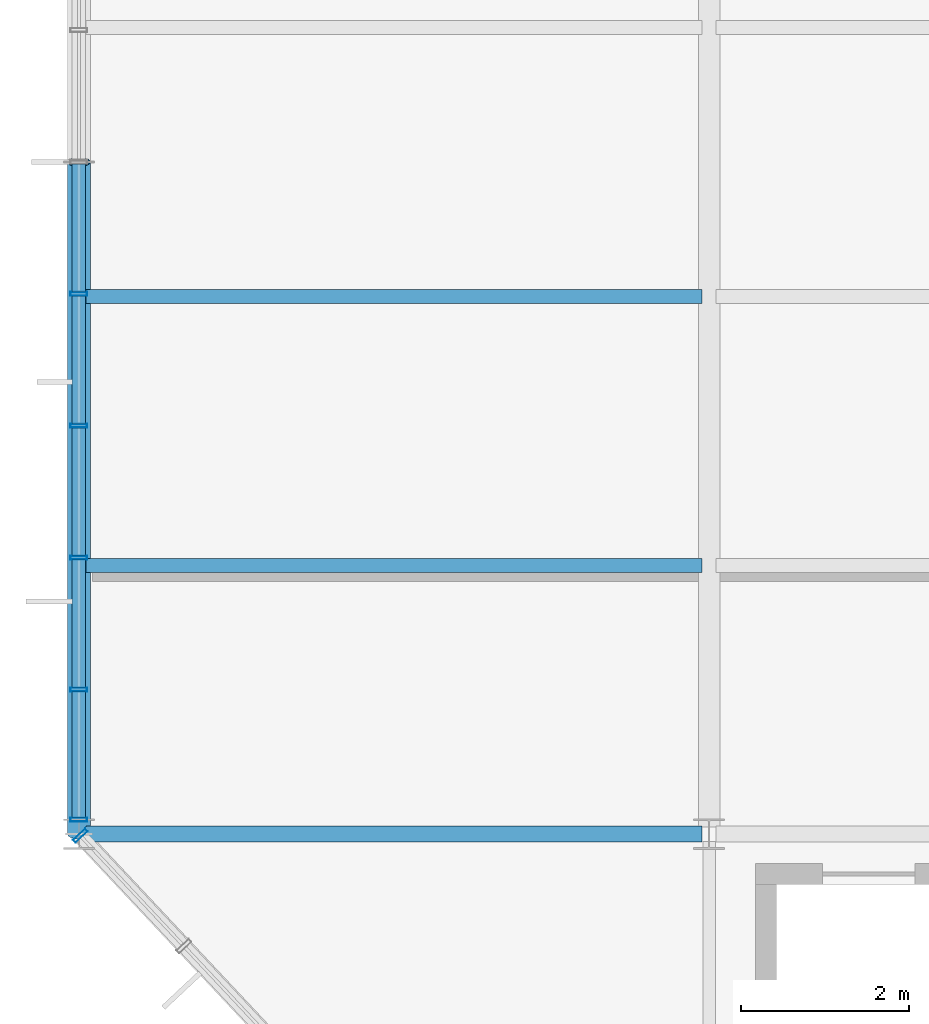
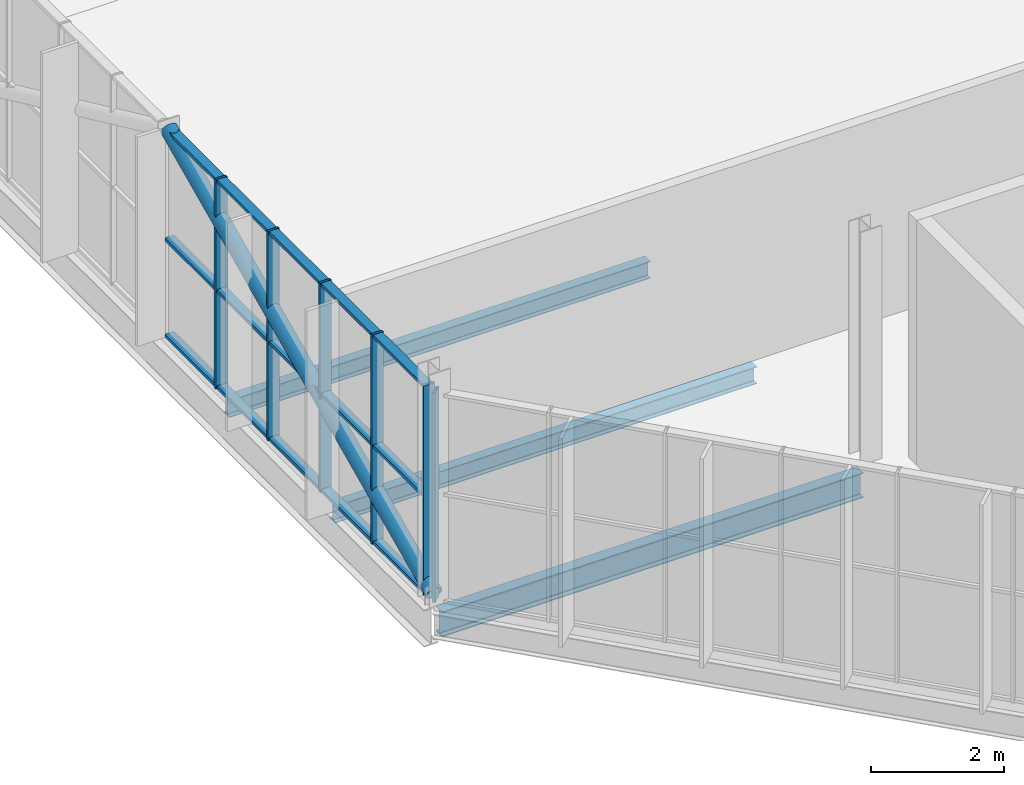
# One storey, part 18 of 324: 22 members, 3 beams, 2 elements without a shape of their own.
"""IFC4 building model written with IfcOpenShell, lengths in metres."""

from ifc_helpers import new_model, si_unit, direction, frame, origin, origin_2d, place, context, subcontext, project, spatial, hollow_rectangle, hollow_circle, i_section, extrude, material, layer, layer_set, material_profile, profile_set, type_object, element, aggregate, save


model = new_model("IFC4")

# Units and contexts
model_context = context("Model", 3, precision=1e-05, world=origin(), true_north=direction((0.0, 1.0)))
body_context = subcontext(model_context, "Body", "Model", "MODEL_VIEW")
ifc_project = project(units=[si_unit("LENGTHUNIT", "METRE"), si_unit("AREAUNIT", "SQUARE_METRE"), si_unit("VOLUMEUNIT", "CUBIC_METRE"), si_unit("PLANEANGLEUNIT", "RADIAN"), si_unit("MASSUNIT", "GRAM", prefix="KILO")], contexts=[model_context])

# Site, building, storey
site_placement = place(None, origin())
site = spatial("IfcSite", under=ifc_project, at=site_placement, CompositionType="ELEMENT")
building_placement = place(site_placement, origin())
building = spatial("IfcBuilding", under=site, at=building_placement, Name="Solvenia Promenade Tram Depot", CompositionType="ELEMENT")
storey_placement = place(building_placement, frame((0.0, 0.0, 4.5)))
storey = spatial("IfcBuildingStorey", under=building, at=storey_placement, Name="L01", CompositionType="ELEMENT", Elevation=4.5)

# Beam
ifc_material_1 = material(Name="Structural steel ASTM A992 Gr. 50", Category="steel")
ifc_material_profile_1 = material_profile(ifc_material_1, i_section(OverallWidth=0.19091796875, OverallDepth=0.4599609375, WebThickness=0.010009765625, FlangeThickness=0.01611328125, FilletRadius=0.012939453125, at=origin_2d()), Name="W460x82", Category="steel")
ifc_profile_set_1 = profile_set([ifc_material_profile_1], Name="Structural steel ASTM A992 Gr. 50")
beam_type_1 = type_object("IfcBeamType", Name="Beam-W460x82", PredefinedType="BEAM", material=ifc_profile_set_1)
beam_placement = place(storey_placement, frame((0.0849609375, 8.0, -0.449951171875), z_axis=(1.0, 0.0, 0.0), x_axis=(0.0, 1.0, 0.0)))
element("IfcBeam", 1, at=beam_placement, inside=storey, type_object=beam_type_1, Name="Primary Girder BM-L01-0312", PredefinedType="BEAM", context=body_context, shape_type="SweptSolid", body=[
    extrude(i_section(OverallWidth=0.19091796875, OverallDepth=0.4599609375, WebThickness=0.010009765625, FlangeThickness=0.01611328125, FilletRadius=0.012939453125, at=origin_2d()), origin(), (0.0, 0.0, 1.0), 7.330078125),
])

# Member
ifc_material_2 = material(Name="Structural steel ASTM A500 Gr. C", Category="steel")
ifc_material_profile_2 = material_profile(ifc_material_2, hollow_circle(Radius=0.136474609375, WallThickness=0.010009765625, at=origin_2d()), Name="CHS273.0x10", Category="steel")
ifc_profile_set_2 = profile_set([ifc_material_profile_2], Name="Structural steel ASTM A500 Gr. C")
member_type_1 = type_object("IfcMemberType", Name="Brace-CHS273x10", PredefinedType="BRACE", material=ifc_profile_set_2)
member_1_placement = place(storey_placement, frame((0.0, 8.0, 0.10009765625), z_axis=(0.0, 0.907629151412, 0.419772942799), x_axis=(-1.0, 0.0, 0.0)))
element("IfcMember", 2, at=member_1_placement, inside=storey, type_object=member_type_1, Name="PAC-DES Chevron Brace 13L", PredefinedType="BRACE", context=body_context, shape_type="SweptSolid", body=[
    extrude(hollow_circle(Radius=0.136474609375, WallThickness=0.010009765625, at=origin_2d()), origin(), (0.0, 0.0, 1.0), 8.814208984375),
])

# Curtain wall, member
ifc_material_3 = material(Name="Anodized aluminium AW-6063 T6", Category="aluminium")
ifc_layer_1 = layer(ifc_material_3, 0.179931640625, Name="Anodized aluminium AW-6063 T6", Category="aluminium")
ifc_layer_set_1 = layer_set([ifc_layer_1], Name="Anodized aluminium AW-6063 T6")
curtain_wall_type_1 = type_object("IfcCurtainWallType", Name="CW-Prom-1800", PredefinedType="NOTDEFINED", material=ifc_layer_set_1)
curtain_wall_1_placement = place(storey_placement, origin())
curtain_wall_1 = element("IfcCurtainWall", 3, at=curtain_wall_1_placement, inside=storey, type_object=curtain_wall_type_1, Name="L01 West Park Faceted Prow Curtain Wall", PredefinedType="NOTDEFINED")
ifc_material_profile_3 = material_profile(ifc_material_3, hollow_rectangle(XDim=0.199951171875, YDim=0.048095703125, WallThickness=0.00390625, at=origin_2d()), Name="ALU-M3", Category="aluminium")
ifc_profile_set_3 = profile_set([ifc_material_profile_3], Name="Anodized aluminium AW-6063 T6")
member_type_2 = type_object("IfcMemberType", Name="CWM-Mullion-3", PredefinedType="MULLION", material=ifc_profile_set_3)
member_2_placement = place(storey_placement, frame((0.016357421875, 7.982421875, 0.0), z_axis=(0.0, 0.0, 1.0), x_axis=(0.72953720414, 0.683941128881, 0.0)))
member_2 = element("IfcMember", 4, at=member_2_placement, type_object=member_type_2, Name="CW-9 mullion 1", PredefinedType="MULLION", context=body_context, shape_type="SweptSolid", body=[
    extrude(hollow_rectangle(XDim=0.199951171875, YDim=0.048095703125, WallThickness=0.00390625, at=origin_2d()), origin(), (0.0, 0.0, 1.0), 3.85009765625),
])
aggregate(curtain_wall_1, [member_2])

# Curtain wall, members
ifc_layer_2 = layer(ifc_material_3, 0.179931640625, Name="Anodized aluminium AW-6063 T6", Category="aluminium")
ifc_layer_set_2 = layer_set([ifc_layer_2], Name="Anodized aluminium AW-6063 T6")
curtain_wall_type_2 = type_object("IfcCurtainWallType", Name="CW-Solar-1500", PredefinedType="NOTDEFINED", material=ifc_layer_set_2)
curtain_wall_2_placement = place(storey_placement, origin())
curtain_wall_2 = element("IfcCurtainWall", 5, at=curtain_wall_2_placement, inside=storey, type_object=curtain_wall_type_2, Name="Curtain Wall CW-V4W-L01", PredefinedType="NOTDEFINED")
member_3_placement = place(storey_placement, frame((0.0, 8.174072265625, 0.0), z_axis=(0.0, 0.0, 1.0), x_axis=(-1.0, 0.0, 0.0)))
member_3 = element("IfcMember", 6, at=member_3_placement, type_object=member_type_2, Name="CW-7 mullion 1", PredefinedType="MULLION", context=body_context, shape_type="SweptSolid", body=[
    extrude(hollow_rectangle(XDim=0.199951171875, YDim=0.048095703125, WallThickness=0.00390625, at=origin_2d()), origin(), (0.0, 0.0, 1.0), 3.85009765625),
])
member_4_placement = place(storey_placement, frame((0.0, 9.719970703125, 0.0), z_axis=(0.0, 0.0, 1.0), x_axis=(-1.0, 0.0, 0.0)))
member_4 = element("IfcMember", 7, at=member_4_placement, type_object=member_type_2, Name="CW-7 mullion 2", PredefinedType="MULLION", context=body_context, shape_type="SweptSolid", body=[
    extrude(hollow_rectangle(XDim=0.199951171875, YDim=0.048095703125, WallThickness=0.00390625, at=origin_2d()), origin(), (0.0, 0.0, 1.0), 3.85009765625),
])
member_5_placement = place(storey_placement, frame((0.0, 11.2900390625, 0.0), z_axis=(0.0, 0.0, 1.0), x_axis=(-1.0, 0.0, 0.0)))
member_5 = element("IfcMember", 8, at=member_5_placement, type_object=member_type_2, Name="CW-7 mullion 3", PredefinedType="MULLION", context=body_context, shape_type="SweptSolid", body=[
    extrude(hollow_rectangle(XDim=0.199951171875, YDim=0.048095703125, WallThickness=0.00390625, at=origin_2d()), origin(), (0.0, 0.0, 1.0), 3.85009765625),
])
member_6_placement = place(storey_placement, frame((0.0, 12.860107421875, 0.0), z_axis=(0.0, 0.0, 1.0), x_axis=(-1.0, 0.0, 0.0)))
member_6 = element("IfcMember", 9, at=member_6_placement, type_object=member_type_2, Name="CW-7 mullion 4", PredefinedType="MULLION", context=body_context, shape_type="SweptSolid", body=[
    extrude(hollow_rectangle(XDim=0.199951171875, YDim=0.048095703125, WallThickness=0.00390625, at=origin_2d()), origin(), (0.0, 0.0, 1.0), 3.85009765625),
])
member_7_placement = place(storey_placement, frame((0.0, 14.429931640625, 0.0), z_axis=(0.0, 0.0, 1.0), x_axis=(-1.0, 0.0, 0.0)))
member_7 = element("IfcMember", 10, at=member_7_placement, type_object=member_type_2, Name="CW-7 mullion 5", PredefinedType="MULLION", context=body_context, shape_type="SweptSolid", body=[
    extrude(hollow_rectangle(XDim=0.199951171875, YDim=0.048095703125, WallThickness=0.00390625, at=origin_2d()), origin(), (0.0, 0.0, 1.0), 3.85009765625),
])
ifc_material_profile_4 = material_profile(ifc_material_3, hollow_rectangle(XDim=0.159912109375, YDim=0.05810546875, WallThickness=0.00390625, at=origin_2d()), Name="ALU-T3", Category="aluminium")
ifc_profile_set_4 = profile_set([ifc_material_profile_4], Name="Anodized aluminium AW-6063 T6")
member_type_3 = type_object("IfcMemberType", Name="CWT-Transom-3", PredefinedType="USERDEFINED", material=ifc_profile_set_4)
member_8_placement = place(storey_placement, frame((0.0, 8.197998046875, 0.029052734375), z_axis=(0.0, 1.0, 0.0), x_axis=(-1.0, 0.0, 0.0)))
member_8 = element("IfcMember", 11, at=member_8_placement, type_object=member_type_3, Name="CW-7 transom 1.1", ObjectType="TRANSOM", PredefinedType="USERDEFINED", context=body_context, shape_type="SweptSolid", body=[
    extrude(hollow_rectangle(XDim=0.159912109375, YDim=0.05810546875, WallThickness=0.00390625, at=origin_2d()), origin(), (0.0, 0.0, 1.0), 1.498046875),
])
member_9_placement = place(storey_placement, frame((0.0, 8.197998046875, 1.800048828125), z_axis=(0.0, 1.0, 0.0), x_axis=(-1.0, 0.0, 0.0)))
member_9 = element("IfcMember", 12, at=member_9_placement, type_object=member_type_3, Name="CW-7 transom 1.2", ObjectType="TRANSOM", PredefinedType="USERDEFINED", context=body_context, shape_type="SweptSolid", body=[
    extrude(hollow_rectangle(XDim=0.159912109375, YDim=0.05810546875, WallThickness=0.00390625, at=origin_2d()), origin(), (0.0, 0.0, 1.0), 1.498046875),
])
member_10_placement = place(storey_placement, frame((0.0, 8.197998046875, 3.821044921875), z_axis=(0.0, 1.0, 0.0), x_axis=(-1.0, 0.0, 0.0)))
member_10 = element("IfcMember", 13, at=member_10_placement, type_object=member_type_3, Name="CW-7 transom 1.3", ObjectType="TRANSOM", PredefinedType="USERDEFINED", context=body_context, shape_type="SweptSolid", body=[
    extrude(hollow_rectangle(XDim=0.159912109375, YDim=0.05810546875, WallThickness=0.00390625, at=origin_2d()), origin(), (0.0, 0.0, 1.0), 1.498046875),
])
member_11_placement = place(storey_placement, frame((0.0, 9.743896484375, 0.029052734375), z_axis=(0.0, 1.0, 0.0), x_axis=(-1.0, 0.0, 0.0)))
member_11 = element("IfcMember", 14, at=member_11_placement, type_object=member_type_3, Name="CW-7 transom 2.1", ObjectType="TRANSOM", PredefinedType="USERDEFINED", context=body_context, shape_type="SweptSolid", body=[
    extrude(hollow_rectangle(XDim=0.159912109375, YDim=0.05810546875, WallThickness=0.00390625, at=origin_2d()), origin(), (0.0, 0.0, 1.0), 1.522216796875),
])
member_12_placement = place(storey_placement, frame((0.0, 9.743896484375, 1.800048828125), z_axis=(0.0, 1.0, 0.0), x_axis=(-1.0, 0.0, 0.0)))
member_12 = element("IfcMember", 15, at=member_12_placement, type_object=member_type_3, Name="CW-7 transom 2.2", ObjectType="TRANSOM", PredefinedType="USERDEFINED", context=body_context, shape_type="SweptSolid", body=[
    extrude(hollow_rectangle(XDim=0.159912109375, YDim=0.05810546875, WallThickness=0.00390625, at=origin_2d()), origin(), (0.0, 0.0, 1.0), 1.522216796875),
])
member_13_placement = place(storey_placement, frame((0.0, 9.743896484375, 3.821044921875), z_axis=(0.0, 1.0, 0.0), x_axis=(-1.0, 0.0, 0.0)))
member_13 = element("IfcMember", 16, at=member_13_placement, type_object=member_type_3, Name="CW-7 transom 2.3", ObjectType="TRANSOM", PredefinedType="USERDEFINED", context=body_context, shape_type="SweptSolid", body=[
    extrude(hollow_rectangle(XDim=0.159912109375, YDim=0.05810546875, WallThickness=0.00390625, at=origin_2d()), origin(), (0.0, 0.0, 1.0), 1.522216796875),
])
member_14_placement = place(storey_placement, frame((0.0, 11.31396484375, 0.029052734375), z_axis=(0.0, 1.0, 0.0), x_axis=(-1.0, 0.0, 0.0)))
member_14 = element("IfcMember", 17, at=member_14_placement, type_object=member_type_3, Name="CW-7 transom 3.1", ObjectType="TRANSOM", PredefinedType="USERDEFINED", context=body_context, shape_type="SweptSolid", body=[
    extrude(hollow_rectangle(XDim=0.159912109375, YDim=0.05810546875, WallThickness=0.00390625, at=origin_2d()), origin(), (0.0, 0.0, 1.0), 1.52197265625),
])
member_15_placement = place(storey_placement, frame((0.0, 11.31396484375, 1.800048828125), z_axis=(0.0, 1.0, 0.0), x_axis=(-1.0, 0.0, 0.0)))
member_15 = element("IfcMember", 18, at=member_15_placement, type_object=member_type_3, Name="CW-7 transom 3.2", ObjectType="TRANSOM", PredefinedType="USERDEFINED", context=body_context, shape_type="SweptSolid", body=[
    extrude(hollow_rectangle(XDim=0.159912109375, YDim=0.05810546875, WallThickness=0.00390625, at=origin_2d()), origin(), (0.0, 0.0, 1.0), 1.52197265625),
])
member_16_placement = place(storey_placement, frame((0.0, 11.31396484375, 3.821044921875), z_axis=(0.0, 1.0, 0.0), x_axis=(-1.0, 0.0, 0.0)))
member_16 = element("IfcMember", 19, at=member_16_placement, type_object=member_type_3, Name="CW-7 transom 3.3", ObjectType="TRANSOM", PredefinedType="USERDEFINED", context=body_context, shape_type="SweptSolid", body=[
    extrude(hollow_rectangle(XDim=0.159912109375, YDim=0.05810546875, WallThickness=0.00390625, at=origin_2d()), origin(), (0.0, 0.0, 1.0), 1.52197265625),
])
member_17_placement = place(storey_placement, frame((0.0, 12.884033203125, 0.029052734375), z_axis=(0.0, 1.0, 0.0), x_axis=(-1.0, 0.0, 0.0)))
member_17 = element("IfcMember", 20, at=member_17_placement, type_object=member_type_3, Name="CW-7 transom 4.1", ObjectType="TRANSOM", PredefinedType="USERDEFINED", context=body_context, shape_type="SweptSolid", body=[
    extrude(hollow_rectangle(XDim=0.159912109375, YDim=0.05810546875, WallThickness=0.00390625, at=origin_2d()), origin(), (0.0, 0.0, 1.0), 1.52197265625),
])
member_18_placement = place(storey_placement, frame((0.0, 12.884033203125, 1.800048828125), z_axis=(0.0, 1.0, 0.0), x_axis=(-1.0, 0.0, 0.0)))
member_18 = element("IfcMember", 21, at=member_18_placement, type_object=member_type_3, Name="CW-7 transom 4.2", ObjectType="TRANSOM", PredefinedType="USERDEFINED", context=body_context, shape_type="SweptSolid", body=[
    extrude(hollow_rectangle(XDim=0.159912109375, YDim=0.05810546875, WallThickness=0.00390625, at=origin_2d()), origin(), (0.0, 0.0, 1.0), 1.52197265625),
])
member_19_placement = place(storey_placement, frame((0.0, 12.884033203125, 3.821044921875), z_axis=(0.0, 1.0, 0.0), x_axis=(-1.0, 0.0, 0.0)))
member_19 = element("IfcMember", 22, at=member_19_placement, type_object=member_type_3, Name="CW-7 transom 4.3", ObjectType="TRANSOM", PredefinedType="USERDEFINED", context=body_context, shape_type="SweptSolid", body=[
    extrude(hollow_rectangle(XDim=0.159912109375, YDim=0.05810546875, WallThickness=0.00390625, at=origin_2d()), origin(), (0.0, 0.0, 1.0), 1.52197265625),
])
member_20_placement = place(storey_placement, frame((0.0, 14.4541015625, 0.029052734375), z_axis=(0.0, 1.0, 0.0), x_axis=(-1.0, 0.0, 0.0)))
member_20 = element("IfcMember", 23, at=member_20_placement, type_object=member_type_3, Name="CW-7 transom 5.1", ObjectType="TRANSOM", PredefinedType="USERDEFINED", context=body_context, shape_type="SweptSolid", body=[
    extrude(hollow_rectangle(XDim=0.159912109375, YDim=0.05810546875, WallThickness=0.00390625, at=origin_2d()), origin(), (0.0, 0.0, 1.0), 1.52197265625),
])
member_21_placement = place(storey_placement, frame((0.0, 14.4541015625, 1.800048828125), z_axis=(0.0, 1.0, 0.0), x_axis=(-1.0, 0.0, 0.0)))
member_21 = element("IfcMember", 24, at=member_21_placement, type_object=member_type_3, Name="CW-7 transom 5.2", ObjectType="TRANSOM", PredefinedType="USERDEFINED", context=body_context, shape_type="SweptSolid", body=[
    extrude(hollow_rectangle(XDim=0.159912109375, YDim=0.05810546875, WallThickness=0.00390625, at=origin_2d()), origin(), (0.0, 0.0, 1.0), 1.52197265625),
])
member_22_placement = place(storey_placement, frame((0.0, 14.4541015625, 3.821044921875), z_axis=(0.0, 1.0, 0.0), x_axis=(-1.0, 0.0, 0.0)))
member_22 = element("IfcMember", 25, at=member_22_placement, type_object=member_type_3, Name="CW-7 transom 5.3", ObjectType="TRANSOM", PredefinedType="USERDEFINED", context=body_context, shape_type="SweptSolid", body=[
    extrude(hollow_rectangle(XDim=0.159912109375, YDim=0.05810546875, WallThickness=0.00390625, at=origin_2d()), origin(), (0.0, 0.0, 1.0), 1.52197265625),
])
aggregate(curtain_wall_2, [member_3, member_4, member_5, member_6, member_7, member_8, member_9, member_10, member_11, member_12, member_13, member_14, member_15, member_16, member_17, member_18, member_19, member_20, member_21, member_22])

# Beams
ifc_material_profile_5 = material_profile(ifc_material_1, i_section(OverallWidth=0.166015625, OverallDepth=0.31298828125, WebThickness=0.006591796875, FlangeThickness=0.01123046875, FilletRadius=0.010009765625, at=origin_2d()), Name="W310x45", Category="steel")
ifc_profile_set_5 = profile_set([ifc_material_profile_5], Name="Structural steel ASTM A992 Gr. 50")
beam_type_2 = type_object("IfcBeamType", Name="Joist-W310x45", PredefinedType="JOIST", material=ifc_profile_set_5)
for number, where, z_axis, x_axis, name in (
    (26, (0.0849609375, 11.199951171875, -0.37646484375), (1.0, 0.0, 0.0), (0.0, 1.0, 0.0), "Secondary Floor Joist BM-L01-0356"),
    (27, (0.0849609375, 14.39990234375, -0.37646484375), (1.0, 0.0, 0.0), (0.0, 1.0, 0.0), "Secondary Floor Joist BM-L01-0357"),
):
    element("IfcBeam", number, at=place(storey_placement, frame(where, z_axis=z_axis, x_axis=x_axis)), inside=storey, type_object=beam_type_2, Name=name, PredefinedType="JOIST", context=body_context, shape_type="SweptSolid", body=[
        extrude(i_section(OverallWidth=0.166015625, OverallDepth=0.31298828125, WebThickness=0.006591796875, FlangeThickness=0.01123046875, FilletRadius=0.010009765625, at=origin_2d()), origin(), (0.0, 0.0, 1.0), 7.330078125),
    ])

save(model, "model.ifc")
